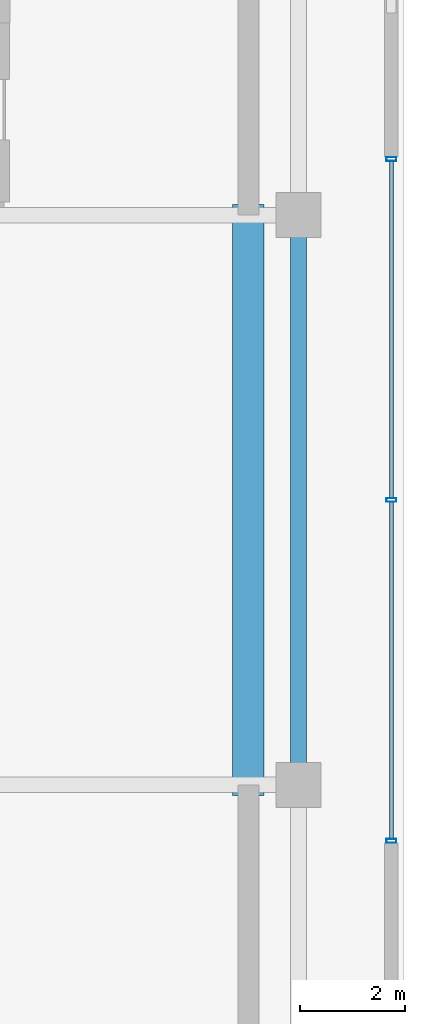
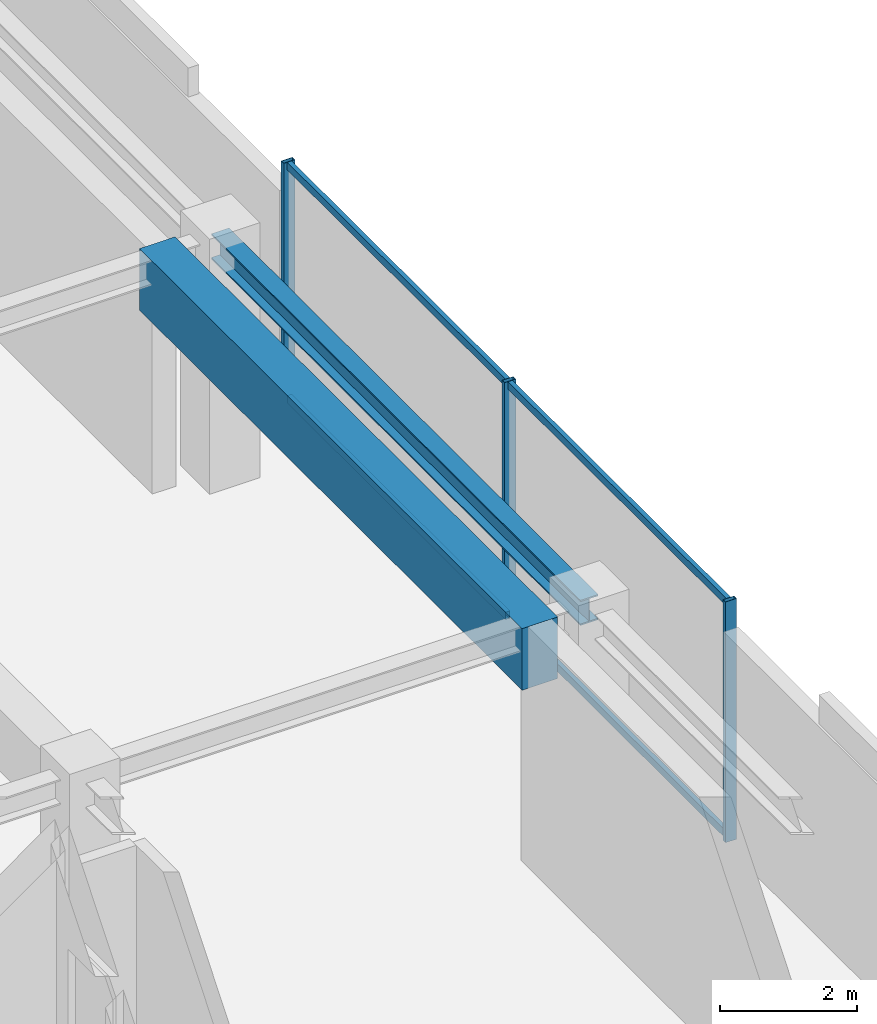
# One storey, part 10 of 18: 7 members, 2 beams, 1 element without a shape of its own.
"""IFC4 building model written with IfcOpenShell, lengths in metres."""

from ifc_helpers import new_model, si_unit, direction, frame, origin, origin_2d, place, context, subcontext, project, spatial, rectangle, hollow_rectangle, i_section, extrude, source, transform, mapped, material, material_profile, profile_set, type_object, element, aggregate, save


model = new_model("IFC4")

# Units and contexts
model_context = context("Model", 3, precision=1e-05, world=origin(), true_north=direction((0.0, 1.0)))
body_context = subcontext(model_context, "Body", "Model", "MODEL_VIEW")
ifc_project = project(units=[si_unit("LENGTHUNIT", "METRE"), si_unit("AREAUNIT", "SQUARE_METRE"), si_unit("VOLUMEUNIT", "CUBIC_METRE"), si_unit("PLANEANGLEUNIT", "RADIAN"), si_unit("MASSUNIT", "GRAM", prefix="KILO")], contexts=[model_context])

# Site, building, storey
site_placement = place(None, origin())
site = spatial("IfcSite", under=ifc_project, at=site_placement, CompositionType="ELEMENT")
building_placement = place(site_placement, origin())
building = spatial("IfcBuilding", under=site, at=building_placement, Name="Nahalor Promenade Grand Hotel", CompositionType="ELEMENT")
storey_placement = place(building_placement, frame((0.0, 0.0, 366.25)))
storey = spatial("IfcBuildingStorey", under=building, at=storey_placement, Name="L93", CompositionType="ELEMENT", Elevation=366.25)

# Beams
ifc_material_1 = material(Name="Concrete B-60 (C50/60)", Category="concrete")
ifc_material_profile_1 = material_profile(ifc_material_1, rectangle(XDim=0.6, YDim=1.1, at=origin_2d()), Name="RC 600x1100")
ifc_profile_set_1 = profile_set([ifc_material_profile_1], Name="Concrete B-60 (C50/60)")
beam_type_1 = type_object("IfcBeamType", Name="Beam-Lintel-RC1100", PredefinedType="LINTEL", material=ifc_profile_set_1)
shared_shape_1 = source(origin(), body_context, "Body", "SweptSolid", [
    extrude(rectangle(XDim=0.6, YDim=1.1, at=origin_2d()), origin(), (0.0, 0.0, 1.0), 11.2001953125),
])
beam_1_placement = place(storey_placement, frame((16.050048828125, -5.60009765625, 3.75), z_axis=(0.0, 1.0, 0.0), x_axis=(-1.0, 0.0, 0.0)))
element("IfcBeam", 1, at=beam_1_placement, inside=storey, type_object=beam_type_1, Name="BM-L93-LINT-E", PredefinedType="LINTEL", context=body_context, shape_type="MappedRepresentation", body=[
    mapped(shared_shape_1, transform((0.0, 0.0, 0.0), scale=1.0)),
])
ifc_material_2 = material(Name="Steel S355JR", Category="steel")
ifc_material_profile_2 = material_profile(ifc_material_2, i_section(OverallWidth=0.3, OverallDepth=0.45, WebThickness=0.014, FlangeThickness=0.026, at=origin_2d()), Name="HEB 450")
ifc_profile_set_2 = profile_set([ifc_material_profile_2], Name="Steel S355JR")
beam_type_2 = type_object("IfcBeamType", Name="Beam-Girder-HEB450", PredefinedType="BEAM", material=ifc_profile_set_2)
shared_shape_2 = source(origin(), body_context, "Body", "SweptSolid", [
    extrude(i_section(OverallWidth=0.3, OverallDepth=0.45, WebThickness=0.014, FlangeThickness=0.026, at=origin_2d()), origin(), (0.0, 0.0, 1.0), 10.7998046875),
])
beam_2_placement = place(storey_placement, frame((17.0, -5.39990234375, 4.074951171875), z_axis=(0.0, 1.0, 0.0), x_axis=(-1.0, 0.0, 0.0)))
element("IfcBeam", 2, at=beam_2_placement, inside=storey, type_object=beam_type_2, Name="BM-L93-GY-5-1", PredefinedType="BEAM", context=body_context, shape_type="MappedRepresentation", body=[
    mapped(shared_shape_2, transform((0.0, 0.0, 0.0), scale=1.0)),
])

# Curtain wall, members
ifc_material_3 = material(Name="Anodised Bronze Aluminium EN AW-6063 T6", Category="aluminium")
curtain_wall_type = type_object("IfcCurtainWallType", Name="CW6 Crown Botanical Conservatory Curtain Wall", PredefinedType="USERDEFINED", material=ifc_material_3)
curtain_wall_placement = place(storey_placement, origin())
curtain_wall = element("IfcCurtainWall", 3, at=curtain_wall_placement, inside=storey, type_object=curtain_wall_type, Name="L93 Curtain Wall CW-L93-E", ObjectType="UNITISED_CURTAIN_WALL", PredefinedType="USERDEFINED")
ifc_material_profile_3 = material_profile(ifc_material_3, hollow_rectangle(XDim=0.075, YDim=0.135, WallThickness=0.004, at=origin_2d()), Name="CWT 75x135x4")
ifc_profile_set_3 = profile_set([ifc_material_profile_3], Name="Anodised Bronze Aluminium EN AW-6063 T6")
member_type_1 = type_object("IfcMemberType", Name="CWT6 Conservatory Transom 75x135", PredefinedType="USERDEFINED", material=ifc_profile_set_3)
shared_shape_3 = source(origin(), body_context, "Body", "SweptSolid", [
    extrude(hollow_rectangle(XDim=0.075, YDim=0.135, WallThickness=0.004, at=origin_2d()), origin(), (0.0, 0.0, 1.0), 6.387451171875),
])
member_1_placement = place(storey_placement, frame((18.760009765625, -6.425048828125, 0.0673828125), z_axis=(0.0, 1.0, 0.0), x_axis=(-1.0, 0.0, 0.0)))
member_1 = element("IfcMember", 4, at=member_1_placement, type_object=member_type_1, Name="CW-L93-E Transom 0-0", ObjectType="TRANSOM", PredefinedType="USERDEFINED", context=body_context, shape_type="MappedRepresentation", body=[
    mapped(shared_shape_3, transform((0.0, 0.0, 0.0), scale=1.0)),
])
member_2_placement = place(storey_placement, frame((18.760009765625, -6.425048828125, 4.232421875), z_axis=(0.0, 1.0, 0.0), x_axis=(-1.0, 0.0, 0.0)))
member_2 = element("IfcMember", 5, at=member_2_placement, type_object=member_type_1, Name="CW-L93-E Transom 0-1", ObjectType="TRANSOM", PredefinedType="USERDEFINED", context=body_context, shape_type="MappedRepresentation", body=[
    mapped(shared_shape_3, transform((0.0, 0.0, 0.0), scale=1.0)),
])
member_3_placement = place(storey_placement, frame((18.760009765625, 0.03759765625, 0.0673828125), z_axis=(0.0, 1.0, 0.0), x_axis=(-1.0, 0.0, 0.0)))
member_3 = element("IfcMember", 6, at=member_3_placement, type_object=member_type_1, Name="CW-L93-E Transom 1-0", ObjectType="TRANSOM", PredefinedType="USERDEFINED", context=body_context, shape_type="MappedRepresentation", body=[
    mapped(shared_shape_3, transform((0.0, 0.0, 0.0), scale=1.0)),
])
member_4_placement = place(storey_placement, frame((18.760009765625, 0.03759765625, 4.232421875), z_axis=(0.0, 1.0, 0.0), x_axis=(-1.0, 0.0, 0.0)))
member_4 = element("IfcMember", 7, at=member_4_placement, type_object=member_type_1, Name="CW-L93-E Transom 1-1", ObjectType="TRANSOM", PredefinedType="USERDEFINED", context=body_context, shape_type="MappedRepresentation", body=[
    mapped(shared_shape_3, transform((0.0, 0.0, 0.0), scale=1.0)),
])
ifc_material_profile_4 = material_profile(ifc_material_3, hollow_rectangle(XDim=0.075, YDim=0.19, WallThickness=0.005, at=origin_2d()), Name="CWM 75x190x5")
ifc_profile_set_4 = profile_set([ifc_material_profile_4], Name="Anodised Bronze Aluminium EN AW-6063 T6")
member_type_2 = type_object("IfcMemberType", Name="CWM6 Conservatory Bronze Mullion 75x190", PredefinedType="MULLION", material=ifc_profile_set_4)
shared_shape_4 = source(origin(), body_context, "Body", "SweptSolid", [
    extrude(hollow_rectangle(XDim=0.075, YDim=0.19, WallThickness=0.005, at=origin_2d()), origin(), (0.0, 0.0, 1.0), 4.300048828125),
])
member_5_placement = place(storey_placement, frame((18.760009765625, -6.46240234375, 0.0), z_axis=(0.0, 0.0, 1.0), x_axis=(0.0, 1.0, 0.0)))
member_5 = element("IfcMember", 8, at=member_5_placement, type_object=member_type_2, Name="CW-L93-E Mullion 0", PredefinedType="MULLION", context=body_context, shape_type="MappedRepresentation", body=[
    mapped(shared_shape_4, transform((0.0, 0.0, 0.0), scale=1.0)),
])
member_6_placement = place(storey_placement, frame((18.760009765625, 0.0, 0.0), z_axis=(0.0, 0.0, 1.0), x_axis=(0.0, 1.0, 0.0)))
member_6 = element("IfcMember", 9, at=member_6_placement, type_object=member_type_2, Name="CW-L93-E Mullion 1", PredefinedType="MULLION", context=body_context, shape_type="MappedRepresentation", body=[
    mapped(shared_shape_4, transform((0.0, 0.0, 0.0), scale=1.0)),
])
member_7_placement = place(storey_placement, frame((18.760009765625, 6.46240234375, 0.0), z_axis=(0.0, 0.0, 1.0), x_axis=(0.0, 1.0, 0.0)))
member_7 = element("IfcMember", 10, at=member_7_placement, type_object=member_type_2, Name="CW-L93-E Mullion 2", PredefinedType="MULLION", context=body_context, shape_type="MappedRepresentation", body=[
    mapped(shared_shape_4, transform((0.0, 0.0, 0.0), scale=1.0)),
])
aggregate(curtain_wall, [member_5, member_6, member_7, member_1, member_2, member_3, member_4])

save(model, "model.ifc")
